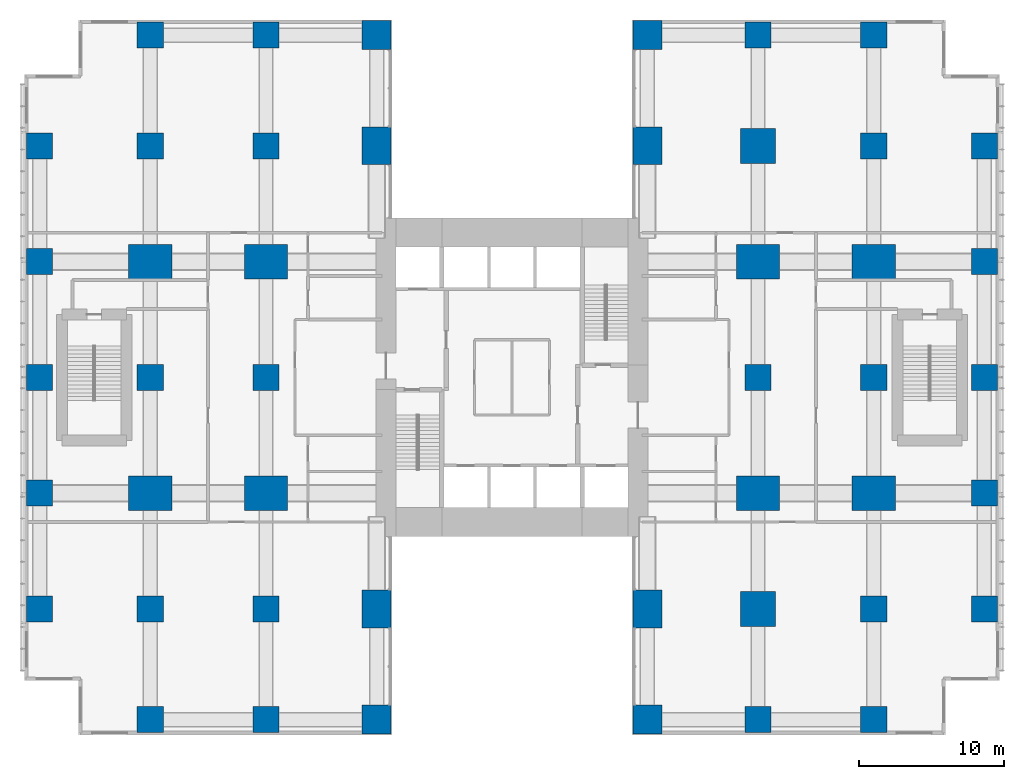
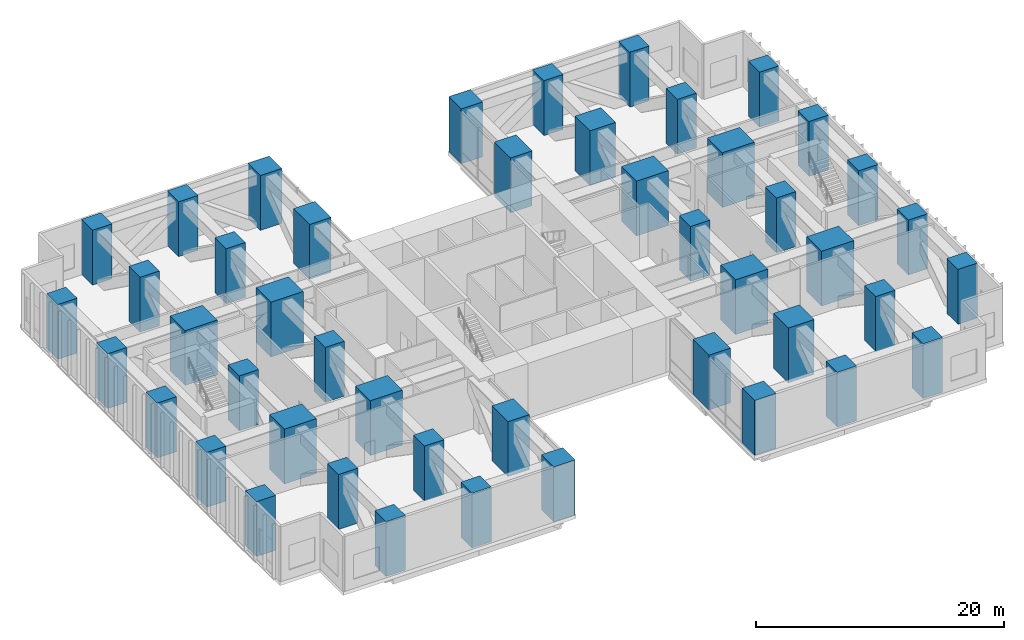
# One storey, part 1 of 15: 46 columns.
"""IFC4 building model written with IfcOpenShell, lengths in metres."""

from ifc_helpers import new_model, si_unit, direction, frame, origin, origin_2d, place, context, subcontext, project, spatial, rectangle, extrude, material, material_profile, profile_set, type_object, element, save


model = new_model("IFC4")

# Units and contexts
model_context = context("Model", 3, precision=1e-05, world=origin(), true_north=direction((0.0, 1.0)))
body_context = subcontext(model_context, "Body", "Model", "MODEL_VIEW")
ifc_project = project(units=[si_unit("LENGTHUNIT", "METRE"), si_unit("AREAUNIT", "SQUARE_METRE"), si_unit("VOLUMEUNIT", "CUBIC_METRE"), si_unit("PLANEANGLEUNIT", "RADIAN"), si_unit("MASSUNIT", "GRAM", prefix="KILO")], contexts=[model_context])

# Site, building, storey
site_placement = place(None, origin())
site = spatial("IfcSite", under=ifc_project, at=site_placement, CompositionType="ELEMENT")
building_placement = place(site_placement, origin())
building = spatial("IfcBuilding", under=site, at=building_placement, Name="Cleftline Residences", CompositionType="ELEMENT")
storey_placement = place(building_placement, frame((0.0, 0.0, 171.800048828125)))
storey = spatial("IfcBuildingStorey", under=building, at=storey_placement, Name="L45", CompositionType="ELEMENT", Elevation=171.800048828125)

# Columns
ifc_material_1 = material(Name="Concrete B70", Category="concrete")
ifc_material_profile_1 = material_profile(ifc_material_1, rectangle(XDim=1.800048828125, YDim=1.800048828125, at=origin_2d()))
ifc_profile_set_1 = profile_set([ifc_material_profile_1], Name="Concrete B70")
column_type_1 = type_object("IfcColumnType", Name="COLUMN RC1800X1800", PredefinedType="COLUMN", material=ifc_profile_set_1)
for number, where, z_axis, x_axis, name in (
    (1, (0.35009765625, 8.0, 0.0), (0.0, 0.0, 1.0), (1.0, 0.0, 0.0), "Column D/3"),
    (2, (0.35009765625, 16.0, 0.0), (0.0, 0.0, 1.0), (1.0, 0.0, 0.0), "Column E/3"),
    (3, (0.35009765625, 24.0, 0.0), (0.0, 0.0, 1.0), (1.0, 0.0, 0.0), "Column F/3"),
    (4, (0.35009765625, 32.0, 0.0), (0.0, 0.0, 1.0), (1.0, 0.0, 0.0), "Column G/3"),
    (5, (0.35009765625, 40.0, 0.0), (0.0, 0.0, 1.0), (1.0, 0.0, 0.0), "Column H/3"),
    (6, (8.0, 0.35009765625, 0.0), (0.0, 0.0, 1.0), (1.0, 0.0, 0.0), "Column C/4"),
    (7, (8.0, 8.0, 0.0), (0.0, 0.0, 1.0), (1.0, 0.0, 0.0), "Column D/4"),
    (8, (8.0, 24.0, 0.0), (0.0, 0.0, 1.0), (1.0, 0.0, 0.0), "Column F/4"),
    (9, (8.0, 40.0, 0.0), (0.0, 0.0, 1.0), (1.0, 0.0, 0.0), "Column H/4"),
    (10, (8.0, 47.64990234375, 0.0), (0.0, 0.0, 1.0), (1.0, 0.0, 0.0), "Column J/4"),
    (11, (16.0, 0.35009765625, 0.0), (0.0, 0.0, 1.0), (1.0, 0.0, 0.0), "Column C/5"),
    (12, (16.0, 8.0, 0.0), (0.0, 0.0, 1.0), (1.0, 0.0, 0.0), "Column D/5"),
    (13, (16.0, 24.0, 0.0), (0.0, 0.0, 1.0), (1.0, 0.0, 0.0), "Column F/5"),
    (14, (16.0, 40.0, 0.0), (0.0, 0.0, 1.0), (1.0, 0.0, 0.0), "Column H/5"),
    (15, (16.0, 47.64990234375, 0.0), (0.0, 0.0, 1.0), (1.0, 0.0, 0.0), "Column J/5"),
    (16, (50.0, 0.35009765625, 0.0), (0.0, 0.0, 1.0), (1.0, 0.0, 0.0), "Column C/9"),
    (17, (50.0, 24.0, 0.0), (0.0, 0.0, 1.0), (1.0, 0.0, 0.0), "Column F/9"),
    (18, (50.0, 47.64990234375, 0.0), (0.0, 0.0, 1.0), (1.0, 0.0, 0.0), "Column J/9"),
    (19, (58.0, 0.35009765625, 0.0), (0.0, 0.0, 1.0), (1.0, 0.0, 0.0), "Column C/10"),
    (20, (58.0, 8.0, 0.0), (0.0, 0.0, 1.0), (1.0, 0.0, 0.0), "Column D/10"),
    (21, (58.0, 24.0, 0.0), (0.0, 0.0, 1.0), (1.0, 0.0, 0.0), "Column F/10"),
    (22, (58.0, 40.0, 0.0), (0.0, 0.0, 1.0), (1.0, 0.0, 0.0), "Column H/10"),
    (23, (58.0, 47.64990234375, 0.0), (0.0, 0.0, 1.0), (1.0, 0.0, 0.0), "Column J/10"),
    (24, (65.64990234375, 8.0, 0.0), (0.0, 0.0, 1.0), (1.0, 0.0, 0.0), "Column D/11"),
    (25, (65.64990234375, 16.0, 0.0), (0.0, 0.0, 1.0), (1.0, 0.0, 0.0), "Column E/11"),
    (26, (65.64990234375, 24.0, 0.0), (0.0, 0.0, 1.0), (1.0, 0.0, 0.0), "Column F/11"),
    (27, (65.64990234375, 32.0, 0.0), (0.0, 0.0, 1.0), (1.0, 0.0, 0.0), "Column G/11"),
    (28, (65.64990234375, 40.0, 0.0), (0.0, 0.0, 1.0), (1.0, 0.0, 0.0), "Column H/11"),
):
    element("IfcColumn", number, at=place(storey_placement, frame(where, z_axis=z_axis, x_axis=x_axis)), inside=storey, type_object=column_type_1, Name=name, PredefinedType="COLUMN", context=body_context, shape_type="SweptSolid", body=[
        extrude(rectangle(XDim=1.800048828125, YDim=1.800048828125, at=origin_2d()), origin(), (0.0, 0.0, 1.0), 5.39990234375),
    ])
ifc_material_2 = material(Name="Concrete B70", Category="concrete")
ifc_material_profile_2 = material_profile(ifc_material_2, rectangle(XDim=2.0, YDim=2.0, at=origin_2d()))
ifc_profile_set_2 = profile_set([ifc_material_profile_2], Name="Concrete B70")
column_type_2 = type_object("IfcColumnType", Name="COLUMN RC2000X2000", PredefinedType="COLUMN", material=ifc_profile_set_2)
for number, where, z_axis, x_axis, name in (
    (29, (23.64990234375, 0.35009765625, 0.0), (0.0, 0.0, 1.0), (1.0, 0.0, 0.0), "Column C/6"),
    (30, (23.64990234375, 47.64990234375, 0.0), (0.0, 0.0, 1.0), (1.0, 0.0, 0.0), "Column J/6"),
    (31, (42.35009765625, 0.35009765625, 0.0), (0.0, 0.0, 1.0), (1.0, 0.0, 0.0), "Column C/8"),
    (32, (42.35009765625, 47.64990234375, 0.0), (0.0, 0.0, 1.0), (1.0, 0.0, 0.0), "Column J/8"),
):
    element("IfcColumn", number, at=place(storey_placement, frame(where, z_axis=z_axis, x_axis=x_axis)), inside=storey, type_object=column_type_2, Name=name, PredefinedType="COLUMN", context=body_context, shape_type="SweptSolid", body=[
        extrude(rectangle(XDim=2.0, YDim=2.0, at=origin_2d()), origin(), (0.0, 0.0, 1.0), 5.39990234375),
    ])
ifc_material_3 = material(Name="Concrete B70", Category="concrete")
ifc_material_profile_3 = material_profile(ifc_material_3, rectangle(XDim=2.0, YDim=2.60009765625, at=origin_2d()))
ifc_profile_set_3 = profile_set([ifc_material_profile_3], Name="Concrete B70")
column_type_3 = type_object("IfcColumnType", Name="COLUMN RC2000X2600", PredefinedType="COLUMN", material=ifc_profile_set_3)
for number, where, z_axis, x_axis, name in (
    (33, (23.64990234375, 8.0, 0.0), (0.0, 0.0, 1.0), (1.0, 0.0, 0.0), "Column D/6"),
    (34, (23.64990234375, 40.0, 0.0), (0.0, 0.0, 1.0), (1.0, 0.0, 0.0), "Column H/6"),
    (35, (42.35009765625, 8.0, 0.0), (0.0, 0.0, 1.0), (1.0, 0.0, 0.0), "Column D/8"),
    (36, (42.35009765625, 40.0, 0.0), (0.0, 0.0, 1.0), (1.0, 0.0, 0.0), "Column H/8"),
):
    element("IfcColumn", number, at=place(storey_placement, frame(where, z_axis=z_axis, x_axis=x_axis)), inside=storey, type_object=column_type_3, Name=name, PredefinedType="COLUMN", context=body_context, shape_type="SweptSolid", body=[
        extrude(rectangle(XDim=2.0, YDim=2.60009765625, at=origin_2d()), origin(), (0.0, 0.0, 1.0), 5.39990234375),
    ])
ifc_material_4 = material(Name="Concrete B70", Category="concrete")
ifc_material_profile_4 = material_profile(ifc_material_4, rectangle(XDim=2.39990234375, YDim=2.39990234375, at=origin_2d()))
ifc_profile_set_4 = profile_set([ifc_material_profile_4], Name="Concrete B70")
column_type_4 = type_object("IfcColumnType", Name="COLUMN RC2400X2400", PredefinedType="COLUMN", material=ifc_profile_set_4)
for number, where, z_axis, x_axis, name in (
    (37, (50.0, 8.0, 0.0), (0.0, 0.0, 1.0), (1.0, 0.0, 0.0), "Column D/9"),
    (38, (50.0, 40.0, 0.0), (0.0, 0.0, 1.0), (1.0, 0.0, 0.0), "Column H/9"),
):
    element("IfcColumn", number, at=place(storey_placement, frame(where, z_axis=z_axis, x_axis=x_axis)), inside=storey, type_object=column_type_4, Name=name, PredefinedType="COLUMN", context=body_context, shape_type="SweptSolid", body=[
        extrude(rectangle(XDim=2.39990234375, YDim=2.39990234375, at=origin_2d()), origin(), (0.0, 0.0, 1.0), 5.39990234375),
    ])
ifc_material_5 = material(Name="Concrete B70", Category="concrete")
ifc_material_profile_5 = material_profile(ifc_material_5, rectangle(XDim=3.0, YDim=2.39990234375, at=origin_2d()))
ifc_profile_set_5 = profile_set([ifc_material_profile_5], Name="Concrete B70")
column_type_5 = type_object("IfcColumnType", Name="COLUMN RC3000X2400", PredefinedType="COLUMN", material=ifc_profile_set_5)
for number, where, z_axis, x_axis, name in (
    (39, (8.0, 16.0, 0.0), (0.0, 0.0, 1.0), (1.0, 0.0, 0.0), "Column E/4"),
    (40, (8.0, 32.0, 0.0), (0.0, 0.0, 1.0), (1.0, 0.0, 0.0), "Column G/4"),
    (41, (16.0, 16.0, 0.0), (0.0, 0.0, 1.0), (1.0, 0.0, 0.0), "Column E/5"),
    (42, (16.0, 32.0, 0.0), (0.0, 0.0, 1.0), (1.0, 0.0, 0.0), "Column G/5"),
    (43, (50.0, 16.0, 0.0), (0.0, 0.0, 1.0), (1.0, 0.0, 0.0), "Column E/9"),
    (44, (50.0, 32.0, 0.0), (0.0, 0.0, 1.0), (1.0, 0.0, 0.0), "Column G/9"),
    (45, (58.0, 16.0, 0.0), (0.0, 0.0, 1.0), (1.0, 0.0, 0.0), "Column E/10"),
    (46, (58.0, 32.0, 0.0), (0.0, 0.0, 1.0), (1.0, 0.0, 0.0), "Column G/10"),
):
    element("IfcColumn", number, at=place(storey_placement, frame(where, z_axis=z_axis, x_axis=x_axis)), inside=storey, type_object=column_type_5, Name=name, PredefinedType="COLUMN", context=body_context, shape_type="SweptSolid", body=[
        extrude(rectangle(XDim=3.0, YDim=2.39990234375, at=origin_2d()), origin(), (0.0, 0.0, 1.0), 5.39990234375),
    ])

save(model, "model.ifc")
